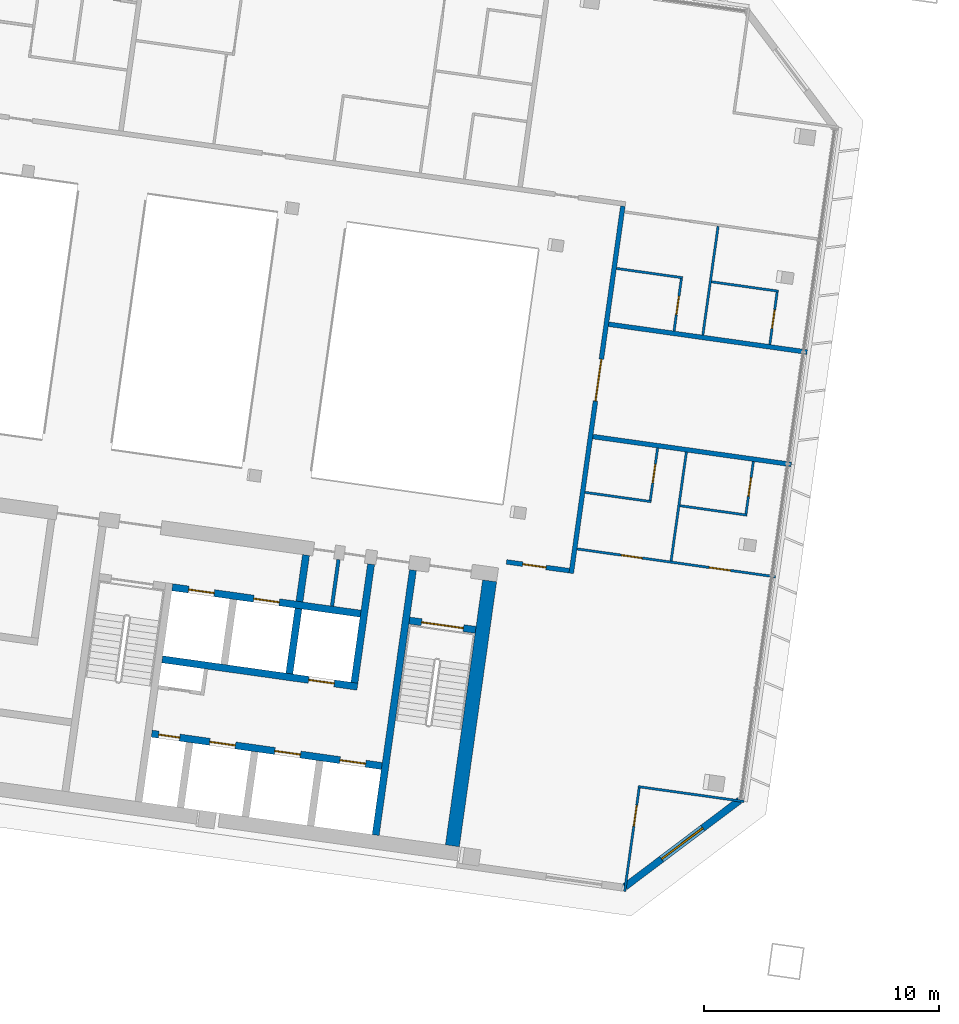
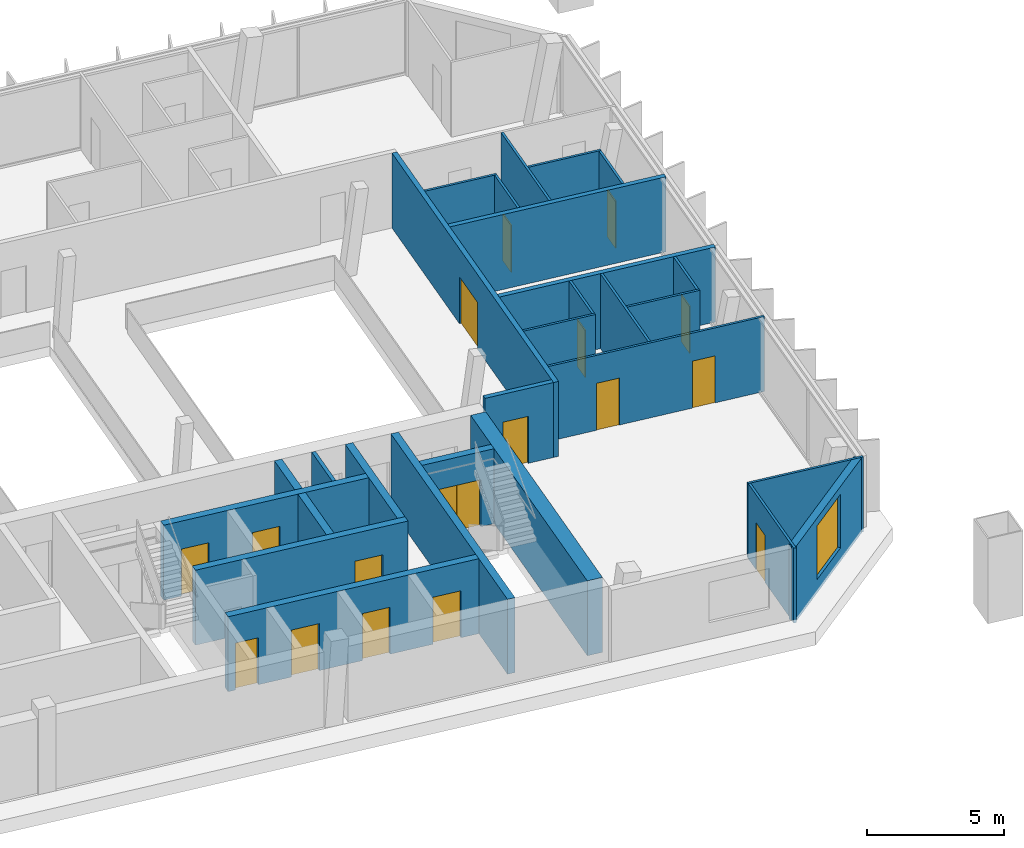
# One storey, part 16 of 26: 28 walls, 17 doors, 1 window, 18 openings.
"""IFC4 building model written with IfcOpenShell, lengths in metres."""

from ifc_helpers import new_model, si_unit, direction, frame, frame_2d, origin, place, context, subcontext, project, spatial, rectangle, extrude, material, layer, layer_set, type_object, element, fill, save


model = new_model("IFC4")

# Units and contexts
model_context = context("Model", 3, precision=1e-05, world=origin(), true_north=direction((0.0, 1.0)))
body_context = subcontext(model_context, "Body", "Model", "MODEL_VIEW")
ifc_project = project(units=[si_unit("LENGTHUNIT", "METRE"), si_unit("AREAUNIT", "SQUARE_METRE"), si_unit("VOLUMEUNIT", "CUBIC_METRE"), si_unit("PLANEANGLEUNIT", "RADIAN"), si_unit("MASSUNIT", "GRAM", prefix="KILO")], contexts=[model_context])

# Site, building, storey
site_placement = place(None, origin())
site = spatial("IfcSite", under=ifc_project, at=site_placement, CompositionType="ELEMENT")
building_placement = place(site_placement, origin())
building = spatial("IfcBuilding", under=site, at=building_placement, Name="Mirante Cascada Hotel Towers", CompositionType="ELEMENT")
storey_placement = place(building_placement, frame((0.0, 0.0, 228.0)))
storey = spatial("IfcBuildingStorey", under=building, at=storey_placement, Name="L54", CompositionType="ELEMENT", Elevation=228.0)

# Wall, opening, door
ifc_material_1 = material(Name="Fire-rated plasterboard on metal studs")
ifc_layer_1 = layer(ifc_material_1, 0.2)
ifc_layer_set_1 = layer_set([ifc_layer_1], Name="Compartment wall 200 EI 120")
wall_type_1 = type_object("IfcWallType", Name="Compartment wall 200 EI 120", PredefinedType="PARTITIONING", material=ifc_layer_set_1)
wall_1_placement = place(storey_placement, frame((-35.2634, -7.1173, 0.0), z_axis=(0.0, 0.0, 1.0), x_axis=(0.9902713, -0.1391498, 0.0)))
wall_1 = element("IfcWall", 1, at=wall_1_placement, inside=storey, type_object=wall_type_1, Name="Wall 1-L54-04", PredefinedType="PARTITIONING", context=body_context, shape_type="SweptSolid", body=[
    extrude(rectangle(XDim=2.7, YDim=0.2, at=frame_2d((1.35, 0.0))), origin(), (0.0, 0.0, 1.0), 3.35),
])
opening_1_placement = place(wall_1_placement, frame((0.7, 0.0, 0.0)))
opening_1 = element("IfcOpeningElement", 2, at=opening_1_placement, cuts=wall_1, Name="Opening D1-L54-01", PredefinedType="OPENING", context=body_context, shape_type="SweptSolid", body=[
    extrude(rectangle(XDim=1.0, YDim=2.1, at=frame_2d((0.5, 1.05))), frame((0.0, 0.1, 0.0), z_axis=(0.0, -1.0, 0.0), x_axis=(1.0, 0.0, 0.0)), (0.0, 0.0, 1.0), 0.2),
])
ifc_material_2 = material(Name="Fire-rated timber door leaf", Category="wood")
door_type_1 = type_object("IfcDoorType", Name="Entrance door DG1 1000x2100 EI 60", OperationType="SINGLE_SWING_LEFT", PredefinedType="DOOR", material=ifc_material_2)
door_1_placement = place(opening_1_placement, frame((1.0, 0.0, 0.0), z_axis=(0.0, 0.0, 1.0), x_axis=(-1.0, 0.0, 0.0)))
door_1 = element("IfcDoor", 3, at=door_1_placement, inside=storey, type_object=door_type_1, Name="Door D1-L54-01", OperationType="SINGLE_SWING_RIGHT", OverallHeight=2.1, OverallWidth=1.0, PredefinedType="DOOR", context=body_context, shape_type="SweptSolid", body=[
    extrude(rectangle(XDim=1.0, YDim=2.1, at=frame_2d((0.5, 1.05))), frame((0.0, 0.025, 0.0), z_axis=(0.0, -1.0, 0.0), x_axis=(1.0, 0.0, 0.0)), (0.0, 0.0, 1.0), 0.05),
])
fill(opening_1, door_1)

# Walls
for number, where, z_axis, x_axis, name in (
    (4, (-23.1292, -2.9656, 0.0), (0.0, 0.0, 1.0), (-0.9902681, 0.139173, 0.0), "Wall 1-L54-09"),
    (5, (-30.9118, 3.0089, 0.0), (0.0, 0.0, 1.0), (0.9902681, -0.139173, 0.0), "Wall 1-L54-10"),
):
    element("IfcWall", number, at=place(storey_placement, frame(where, z_axis=z_axis, x_axis=x_axis)), inside=storey, type_object=wall_type_1, Name=name, PredefinedType="PARTITIONING", context=body_context, shape_type="SweptSolid", body=[
        extrude(rectangle(XDim=8.5383, YDim=0.2, at=frame_2d((4.2692, 0.0))), origin(), (0.0, 0.0, 1.0), 3.35),
    ])

# Wall, opening, door
wall_2_placement = place(storey_placement, frame((-30.3056, 8.0402, 0.0), z_axis=(0.0, 0.0, 1.0), x_axis=(-0.1391774, -0.9902675, 0.0)))
wall_2 = element("IfcWall", 6, at=wall_2_placement, inside=storey, type_object=wall_type_1, Name="Wall 1-L54-36", PredefinedType="PARTITIONING", context=body_context, shape_type="SweptSolid", body=[
    extrude(rectangle(XDim=15.8, YDim=0.2, at=frame_2d((7.9, 0.0))), origin(), (0.0, 0.0, 1.0), 3.35),
])
opening_2_placement = place(wall_2_placement, frame((6.5834, 0.0, 0.0)))
opening_2 = element("IfcOpeningElement", 7, at=opening_2_placement, cuts=wall_2, Name="Opening D1-L54-23", PredefinedType="OPENING", context=body_context, shape_type="SweptSolid", body=[
    extrude(rectangle(XDim=1.8, YDim=2.1, at=frame_2d((0.9, 1.05))), frame((0.0, 0.1, 0.0), z_axis=(0.0, -1.0, 0.0), x_axis=(1.0, 0.0, 0.0)), (0.0, 0.0, 1.0), 0.2),
])
ifc_material_3 = material(Name="Fire-rated timber door leaf", Category="wood")
door_type_2 = type_object("IfcDoorType", Name="Suite double door DG2 1800x2100 EI 60", OperationType="DOUBLE_DOOR_SINGLE_SWING", PredefinedType="DOOR", material=ifc_material_3)
door_2_placement = place(opening_2_placement, origin())
door_2 = element("IfcDoor", 8, at=door_2_placement, inside=storey, type_object=door_type_2, Name="Door D1-L54-23", OperationType="DOUBLE_DOOR_SINGLE_SWING", OverallHeight=2.1, OverallWidth=1.8, PredefinedType="DOOR", context=body_context, shape_type="SweptSolid", body=[
    extrude(rectangle(XDim=0.895, YDim=2.1, at=frame_2d((0.4475, 1.05))), frame((0.0, 0.025, 0.0), z_axis=(0.0, -1.0, 0.0), x_axis=(1.0, 0.0, 0.0)), (0.0, 0.0, 1.0), 0.05),
    extrude(rectangle(XDim=0.895, YDim=2.1, at=frame_2d((1.3525, 1.05))), frame((0.0, 0.025, 0.0), z_axis=(0.0, -1.0, 0.0), x_axis=(1.0, 0.0, 0.0)), (0.0, 0.0, 1.0), 0.05),
])
fill(opening_2, door_2)

# Walls
ifc_material_4 = material(Name="Masonry block", Category="masonry")
ifc_layer_2 = layer(ifc_material_4, 0.15)
ifc_layer_set_2 = layer_set([ifc_layer_2], Name="Core room partition 150 block EI 30")
wall_type_2 = type_object("IfcWallType", Name="Core room partition 150 block EI 30", PredefinedType="PARTITIONING", material=ifc_layer_set_2)
wall_3_placement = place(storey_placement, frame((-42.6979, -9.0009, 0.0), z_axis=(0.0, 0.0, 1.0), x_axis=(0.1391529, 0.9902709, 0.0)))
element("IfcWall", 9, at=wall_3_placement, inside=storey, type_object=wall_type_2, Name="Core wall partition T1 L54 4", PredefinedType="PARTITIONING", context=body_context, shape_type="SweptSolid", body=[
    extrude(rectangle(XDim=2.0, YDim=0.15, at=frame_2d((1.0, 0.0))), origin(), (0.0, 0.0, 1.0), 3.35),
])
ifc_material_5 = material(Name="Masonry block", Category="masonry")
ifc_layer_3 = layer(ifc_material_5, 0.3)
ifc_layer_set_3 = layer_set([ifc_layer_3], Name="Core wall 300 block EI 120")
wall_type_3 = type_object("IfcWallType", Name="Core wall 300 block EI 120", PredefinedType="PARTITIONING", material=ifc_layer_set_3)
wall_4_placement = place(storey_placement, frame((-44.0843, -8.8061, 0.0), z_axis=(0.0, 0.0, 1.0), x_axis=(0.1391951, 0.990265, 0.0)))
element("IfcWall", 10, at=wall_4_placement, inside=storey, type_object=wall_type_3, Name="Core wall partition T1 L54 1", PredefinedType="PARTITIONING", context=body_context, shape_type="SweptSolid", body=[
    extrude(rectangle(XDim=2.0001, YDim=0.3, at=frame_2d((1.0001, 0.0))), origin(), (0.0, 0.0, 1.0), 3.35),
])
ifc_material_6 = material(Name="Plasterboard on metal studs")
ifc_layer_4 = layer(ifc_material_6, 0.1)
ifc_layer_set_4 = layer_set([ifc_layer_4], Name="Partition 100")
wall_type_4 = type_object("IfcWallType", Name="Partition 100", PredefinedType="PARTITIONING", material=ifc_layer_set_4)
wall_5_placement = place(storey_placement, frame((-25.1472, -17.3245, 0.0), z_axis=(0.0, 0.0, 1.0), x_axis=(-0.9902695, 0.1391626, 0.0)))
element("IfcWall", 11, at=wall_5_placement, inside=storey, type_object=wall_type_4, Name="Wall 1-L54-01", PredefinedType="PARTITIONING", context=body_context, shape_type="SweptSolid", body=[
    extrude(rectangle(XDim=4.5501, YDim=0.1, at=frame_2d((2.275, 0.0))), origin(), (0.0, 0.0, 1.0), 3.35),
])

# Wall, openings, doors
wall_6_placement = place(storey_placement, frame((-23.8019, -7.7519, 0.0), z_axis=(0.0, 0.0, 1.0), x_axis=(-0.9902681, 0.139173, 0.0)))
wall_6 = element("IfcWall", 12, at=wall_6_placement, inside=storey, type_object=wall_type_4, Name="Wall 1-L54-05", PredefinedType="PARTITIONING", context=body_context, shape_type="SweptSolid", body=[
    extrude(rectangle(XDim=8.5383, YDim=0.1, at=frame_2d((4.2692, 0.0))), origin(), (0.0, 0.0, 1.0), 3.35),
])
opening_3_placement = place(wall_6_placement, frame((1.95, 0.0, 0.0)))
opening_3 = element("IfcOpeningElement", 13, at=opening_3_placement, cuts=wall_6, Name="Opening D1-L54-02", PredefinedType="OPENING", context=body_context, shape_type="SweptSolid", body=[
    extrude(rectangle(XDim=0.9, YDim=2.1, at=frame_2d((0.45, 1.05))), frame((0.0, 0.05, 0.0), z_axis=(0.0, -1.0, 0.0), x_axis=(1.0, 0.0, 0.0)), (0.0, 0.0, 1.0), 0.1),
])
opening_4_placement = place(wall_6_placement, frame((5.7287, 0.0, 0.0)))
opening_4 = element("IfcOpeningElement", 14, at=opening_4_placement, cuts=wall_6, Name="Opening D1-L54-03", PredefinedType="OPENING", context=body_context, shape_type="SweptSolid", body=[
    extrude(rectangle(XDim=0.9, YDim=2.1, at=frame_2d((0.45, 1.05))), frame((0.0, 0.05, 0.0), z_axis=(0.0, -1.0, 0.0), x_axis=(1.0, 0.0, 0.0)), (0.0, 0.0, 1.0), 0.1),
])
ifc_material_7 = material(Name="Timber door leaf", Category="wood")
door_type_3 = type_object("IfcDoorType", Name="Room door DG3 900x2100", OperationType="SINGLE_SWING_LEFT", PredefinedType="DOOR", material=ifc_material_7)
door_3_placement = place(opening_3_placement, origin())
door_3 = element("IfcDoor", 15, at=door_3_placement, inside=storey, type_object=door_type_3, Name="Door D1-L54-02", OperationType="SINGLE_SWING_LEFT", OverallHeight=2.1, OverallWidth=0.9, PredefinedType="DOOR", context=body_context, shape_type="SweptSolid", body=[
    extrude(rectangle(XDim=0.9, YDim=2.1, at=frame_2d((0.45, 1.05))), frame((0.0, 0.025, 0.0), z_axis=(0.0, -1.0, 0.0), x_axis=(1.0, 0.0, 0.0)), (0.0, 0.0, 1.0), 0.05),
])
fill(opening_3, door_3)
door_4_placement = place(opening_4_placement, origin())
door_4 = element("IfcDoor", 16, at=door_4_placement, inside=storey, type_object=door_type_3, Name="Door D1-L54-03", OperationType="SINGLE_SWING_LEFT", OverallHeight=2.1, OverallWidth=0.9, PredefinedType="DOOR", context=body_context, shape_type="SweptSolid", body=[
    extrude(rectangle(XDim=0.9, YDim=2.1, at=frame_2d((0.45, 1.05))), frame((0.0, 0.025, 0.0), z_axis=(0.0, -1.0, 0.0), x_axis=(1.0, 0.0, 0.0)), (0.0, 0.0, 1.0), 0.05),
])
fill(opening_4, door_4)

# Walls
wall_7_placement = place(storey_placement, frame((-25.0172, -5.1239, 0.0), z_axis=(0.0, 0.0, 1.0), x_axis=(-0.9902643, 0.1392, 0.0)))
element("IfcWall", 17, at=wall_7_placement, inside=storey, type_object=wall_type_4, Name="Wall 1-L54-07", PredefinedType="PARTITIONING", context=body_context, shape_type="SweptSolid", body=[
    extrude(rectangle(XDim=2.8807, YDim=0.1, at=frame_2d((1.4404, 0.0))), origin(), (0.0, 0.0, 1.0), 3.35),
])
wall_8_placement = place(storey_placement, frame((-31.9184, -4.154, 0.0), z_axis=(0.0, 0.0, 1.0), x_axis=(0.9902697, -0.1391613, 0.0)))
element("IfcWall", 18, at=wall_8_placement, inside=storey, type_object=wall_type_4, Name="Wall 1-L54-08", PredefinedType="PARTITIONING", context=body_context, shape_type="SweptSolid", body=[
    extrude(rectangle(XDim=2.8499, YDim=0.1, at=frame_2d((1.425, 0.0))), origin(), (0.0, 0.0, 1.0), 3.35),
])
wall_9_placement = place(storey_placement, frame((-26.5292, 4.8166, 0.0), z_axis=(0.0, 0.0, 1.0), x_axis=(0.9902691, -0.139166, 0.0)))
element("IfcWall", 19, at=wall_9_placement, inside=storey, type_object=wall_type_4, Name="Wall 1-L54-12", PredefinedType="PARTITIONING", context=body_context, shape_type="SweptSolid", body=[
    extrude(rectangle(XDim=2.8807, YDim=0.1, at=frame_2d((1.4404, 0.0))), origin(), (0.0, 0.0, 1.0), 3.35),
])
wall_10_placement = place(storey_placement, frame((-27.7555, 4.9889, 0.0), z_axis=(0.0, 0.0, 1.0), x_axis=(-0.9902649, 0.1391957, 0.0)))
element("IfcWall", 20, at=wall_10_placement, inside=storey, type_object=wall_type_4, Name="Wall 1-L54-13", PredefinedType="PARTITIONING", context=body_context, shape_type="SweptSolid", body=[
    extrude(rectangle(XDim=2.8499, YDim=0.1, at=frame_2d((1.425, 0.0))), origin(), (0.0, 0.0, 1.0), 3.35),
])

# Wall, opening, door
wall_11_placement = place(storey_placement, frame((-24.7466, -2.8393, 0.0), z_axis=(0.0, 0.0, 1.0), x_axis=(-0.1391561, -0.9902705, 0.0)))
wall_11 = element("IfcWall", 21, at=wall_11_placement, inside=storey, type_object=wall_type_4, Name="Wall 1-L54-28", PredefinedType="PARTITIONING", context=body_context, shape_type="SweptSolid", body=[
    extrude(rectangle(XDim=2.25, YDim=0.1, at=frame_2d((1.125, 0.0))), origin(), (0.0, 0.0, 1.0), 3.35),
])
opening_5_placement = place(wall_11_placement, frame((0.7, 0.0, 0.0)))
opening_5 = element("IfcOpeningElement", 22, at=opening_5_placement, cuts=wall_11, Name="Opening D1-L54-17", PredefinedType="OPENING", context=body_context, shape_type="SweptSolid", body=[
    extrude(rectangle(XDim=0.8, YDim=2.1, at=frame_2d((0.4, 1.05))), frame((0.0, 0.05, 0.0), z_axis=(0.0, -1.0, 0.0), x_axis=(1.0, 0.0, 0.0)), (0.0, 0.0, 1.0), 0.1),
])
ifc_material_8 = material(Name="Timber door leaf", Category="wood")
door_type_4 = type_object("IfcDoorType", Name="Bathroom door DG4 800x2100", OperationType="SINGLE_SWING_LEFT", PredefinedType="DOOR", material=ifc_material_8)
door_5_placement = place(opening_5_placement, frame((0.8, 0.0, 0.0), z_axis=(0.0, 0.0, 1.0), x_axis=(-1.0, 0.0, 0.0)))
door_5 = element("IfcDoor", 23, at=door_5_placement, inside=storey, type_object=door_type_4, Name="Door D1-L54-17", OperationType="SINGLE_SWING_RIGHT", OverallHeight=2.1, OverallWidth=0.8, PredefinedType="DOOR", context=body_context, shape_type="SweptSolid", body=[
    extrude(rectangle(XDim=0.8, YDim=2.1, at=frame_2d((0.4, 1.05))), frame((0.0, 0.025, 0.0), z_axis=(0.0, -1.0, 0.0), x_axis=(1.0, 0.0, 0.0)), (0.0, 0.0, 1.0), 0.05),
])
fill(opening_5, door_5)

wall_12_placement = place(storey_placement, frame((-24.0461, 2.145, 0.0), z_axis=(0.0, 0.0, 1.0), x_axis=(0.1391997, 0.9902643, 0.0)))
wall_12 = element("IfcWall", 24, at=wall_12_placement, inside=storey, type_object=wall_type_4, Name="Wall 1-L54-29", PredefinedType="PARTITIONING", context=body_context, shape_type="SweptSolid", body=[
    extrude(rectangle(XDim=2.25, YDim=0.1, at=frame_2d((1.125, 0.0))), origin(), (0.0, 0.0, 1.0), 3.35),
])
opening_6_placement = place(wall_12_placement, frame((0.7, 0.0, 0.0)))
opening_6 = element("IfcOpeningElement", 25, at=opening_6_placement, cuts=wall_12, Name="Opening D1-L54-18", PredefinedType="OPENING", context=body_context, shape_type="SweptSolid", body=[
    extrude(rectangle(XDim=0.8, YDim=2.1, at=frame_2d((0.4, 1.05))), frame((0.0, 0.05, 0.0), z_axis=(0.0, -1.0, 0.0), x_axis=(1.0, 0.0, 0.0)), (0.0, 0.0, 1.0), 0.1),
])
door_6_placement = place(opening_6_placement, origin())
door_6 = element("IfcDoor", 26, at=door_6_placement, inside=storey, type_object=door_type_4, Name="Door D1-L54-18", OperationType="SINGLE_SWING_LEFT", OverallHeight=2.1, OverallWidth=0.8, PredefinedType="DOOR", context=body_context, shape_type="SweptSolid", body=[
    extrude(rectangle(XDim=0.8, YDim=2.1, at=frame_2d((0.4, 1.05))), frame((0.0, 0.025, 0.0), z_axis=(0.0, -1.0, 0.0), x_axis=(1.0, 0.0, 0.0)), (0.0, 0.0, 1.0), 0.05),
])
fill(opening_6, door_6)

wall_13_placement = place(storey_placement, frame((-29.6104, -16.7477, 0.0), z_axis=(0.0, 0.0, 1.0), x_axis=(-0.1391684, -0.9902687, 0.0)))
wall_13 = element("IfcWall", 27, at=wall_13_placement, inside=storey, type_object=wall_type_4, Name="Wall 1-L54-30", PredefinedType="PARTITIONING", context=body_context, shape_type="SweptSolid", body=[
    extrude(rectangle(XDim=4.45, YDim=0.1, at=frame_2d((2.225, 0.0))), origin(), (0.0, 0.0, 1.0), 3.35),
])
opening_7_placement = place(wall_13_placement, frame((0.75, 0.0, 0.0)))
opening_7 = element("IfcOpeningElement", 28, at=opening_7_placement, cuts=wall_13, Name="Opening D1-L54-19", PredefinedType="OPENING", context=body_context, shape_type="SweptSolid", body=[
    extrude(rectangle(XDim=0.9, YDim=2.1, at=frame_2d((0.45, 1.05))), frame((0.0, 0.05, 0.0), z_axis=(0.0, -1.0, 0.0), x_axis=(1.0, 0.0, 0.0)), (0.0, 0.0, 1.0), 0.1),
])
door_7_placement = place(opening_7_placement, frame((0.9, 0.0, 0.0), z_axis=(0.0, 0.0, 1.0), x_axis=(-1.0, 0.0, 0.0)))
door_7 = element("IfcDoor", 29, at=door_7_placement, inside=storey, type_object=door_type_3, Name="Door D1-L54-19", OperationType="SINGLE_SWING_RIGHT", OverallHeight=2.1, OverallWidth=0.9, PredefinedType="DOOR", context=body_context, shape_type="SweptSolid", body=[
    extrude(rectangle(XDim=0.9, YDim=2.1, at=frame_2d((0.45, 1.05))), frame((0.0, 0.025, 0.0), z_axis=(0.0, -1.0, 0.0), x_axis=(1.0, 0.0, 0.0)), (0.0, 0.0, 1.0), 0.05),
])
fill(opening_7, door_7)

# Walls
wall_14_placement = place(storey_placement, frame((-28.2511, -7.0761, 0.0), z_axis=(0.0, 0.0, 1.0), x_axis=(0.139176, 0.9902677, 0.0)))
element("IfcWall", 30, at=wall_14_placement, inside=storey, type_object=wall_type_4, Name="Wall 1-L54-31", PredefinedType="PARTITIONING", context=body_context, shape_type="SweptSolid", body=[
    extrude(rectangle(XDim=4.6833, YDim=0.1, at=frame_2d((2.3416, 0.0))), origin(), (0.0, 0.0, 1.0), 3.35),
])
wall_15_placement = place(storey_placement, frame((-26.247, 7.1838, 0.0), z_axis=(0.0, 0.0, 1.0), x_axis=(-0.1391701, -0.9902685, 0.0)))
element("IfcWall", 31, at=wall_15_placement, inside=storey, type_object=wall_type_4, Name="Wall 1-L54-32", PredefinedType="PARTITIONING", context=body_context, shape_type="SweptSolid", body=[
    extrude(rectangle(XDim=4.6835, YDim=0.1, at=frame_2d((2.3418, 0.0))), origin(), (0.0, 0.0, 1.0), 3.35),
])

# Wall, opening, door
wall_16_placement = place(storey_placement, frame((-28.8256, -2.266, 0.0), z_axis=(0.0, 0.0, 1.0), x_axis=(-0.1391561, -0.9902705, 0.0)))
wall_16 = element("IfcWall", 32, at=wall_16_placement, inside=storey, type_object=wall_type_4, Name="Wall 1-L54-34", PredefinedType="PARTITIONING", context=body_context, shape_type="SweptSolid", body=[
    extrude(rectangle(XDim=2.25, YDim=0.1, at=frame_2d((1.125, 0.0))), origin(), (0.0, 0.0, 1.0), 3.35),
])
opening_8_placement = place(wall_16_placement, frame((0.7, 0.0, 0.0)))
opening_8 = element("IfcOpeningElement", 33, at=opening_8_placement, cuts=wall_16, Name="Opening D1-L54-21", PredefinedType="OPENING", context=body_context, shape_type="SweptSolid", body=[
    extrude(rectangle(XDim=0.8, YDim=2.1, at=frame_2d((0.4, 1.05))), frame((0.0, 0.05, 0.0), z_axis=(0.0, -1.0, 0.0), x_axis=(1.0, 0.0, 0.0)), (0.0, 0.0, 1.0), 0.1),
])
door_8_placement = place(opening_8_placement, frame((0.8, 0.0, 0.0), z_axis=(0.0, 0.0, 1.0), x_axis=(-1.0, 0.0, 0.0)))
door_8 = element("IfcDoor", 34, at=door_8_placement, inside=storey, type_object=door_type_4, Name="Door D1-L54-21", OperationType="SINGLE_SWING_RIGHT", OverallHeight=2.1, OverallWidth=0.8, PredefinedType="DOOR", context=body_context, shape_type="SweptSolid", body=[
    extrude(rectangle(XDim=0.8, YDim=2.1, at=frame_2d((0.4, 1.05))), frame((0.0, 0.025, 0.0), z_axis=(0.0, -1.0, 0.0), x_axis=(1.0, 0.0, 0.0)), (0.0, 0.0, 1.0), 0.05),
])
fill(opening_8, door_8)

wall_17_placement = place(storey_placement, frame((-28.1251, 2.7183, 0.0), z_axis=(0.0, 0.0, 1.0), x_axis=(0.1391561, 0.9902705, 0.0)))
wall_17 = element("IfcWall", 35, at=wall_17_placement, inside=storey, type_object=wall_type_4, Name="Wall 1-L54-35", PredefinedType="PARTITIONING", context=body_context, shape_type="SweptSolid", body=[
    extrude(rectangle(XDim=2.25, YDim=0.1, at=frame_2d((1.125, 0.0))), origin(), (0.0, 0.0, 1.0), 3.35),
])
opening_9_placement = place(wall_17_placement, frame((0.7, 0.0, 0.0)))
opening_9 = element("IfcOpeningElement", 36, at=opening_9_placement, cuts=wall_17, Name="Opening D1-L54-22", PredefinedType="OPENING", context=body_context, shape_type="SweptSolid", body=[
    extrude(rectangle(XDim=0.8, YDim=2.1, at=frame_2d((0.4, 1.05))), frame((0.0, 0.05, 0.0), z_axis=(0.0, -1.0, 0.0), x_axis=(1.0, 0.0, 0.0)), (0.0, 0.0, 1.0), 0.1),
])
door_9_placement = place(opening_9_placement, origin())
door_9 = element("IfcDoor", 37, at=door_9_placement, inside=storey, type_object=door_type_4, Name="Door D1-L54-22", OperationType="SINGLE_SWING_LEFT", OverallHeight=2.1, OverallWidth=0.8, PredefinedType="DOOR", context=body_context, shape_type="SweptSolid", body=[
    extrude(rectangle(XDim=0.8, YDim=2.1, at=frame_2d((0.4, 1.05))), frame((0.0, 0.025, 0.0), z_axis=(0.0, -1.0, 0.0), x_axis=(1.0, 0.0, 0.0)), (0.0, 0.0, 1.0), 0.05),
])
fill(opening_9, door_9)

# Wall, opening, window
ifc_material_9 = material(Name="Precast concrete C40/50", Category="concrete")
ifc_layer_5 = layer(ifc_material_9, 0.3)
ifc_layer_set_5 = layer_set([ifc_layer_5], Name="Precast concrete C40/50 cladding wall 300")
wall_type_5 = type_object("IfcWallType", Name="Precast concrete C40/50 cladding wall 300", PredefinedType="STANDARD", material=ifc_layer_set_5)
wall_18_placement = place(storey_placement, frame((-25.3367, -17.2794, 0.0), z_axis=(0.0, 0.0, 1.0), x_axis=(-0.7986362, -0.6018141, 0.0)))
wall_18 = element("IfcWall", 38, at=wall_18_placement, inside=storey, type_object=wall_type_5, Name="Corner cladding wall T1 L54 inner rear", PredefinedType="STANDARD", context=body_context, shape_type="SweptSolid", body=[
    extrude(rectangle(XDim=6.1157, YDim=0.3, at=frame_2d((3.0578, 0.0))), origin(), (0.0, 0.0, 1.0), 3.35),
])
opening_10_placement = place(wall_18_placement, frame((1.9578, 0.0, 0.6)))
opening_10 = element("IfcOpeningElement", 39, at=opening_10_placement, cuts=wall_18, Name="Opening W1-54-05", PredefinedType="OPENING", context=body_context, shape_type="SweptSolid", body=[
    extrude(rectangle(XDim=2.2, YDim=2.4, at=frame_2d((1.1, 1.2))), frame((0.0, 0.15, 0.0), z_axis=(0.0, -1.0, 0.0), x_axis=(1.0, 0.0, 0.0)), (0.0, 0.0, 1.0), 0.3),
])
ifc_material_10 = material(Name="Aluminium frame with clear double glazing", Category="aluminium")
window_type = type_object("IfcWindowType", Name="Corner suite window 2200x2400", PartitioningType="DOUBLE_PANEL_VERTICAL", PredefinedType="WINDOW", material=ifc_material_10)
window_placement = place(opening_10_placement, origin())
window = element("IfcWindow", 40, at=window_placement, inside=storey, type_object=window_type, Name="Window W1-54-05", OverallHeight=2.4, OverallWidth=2.2, PartitioningType="SINGLE_PANEL", PredefinedType="WINDOW", context=body_context, shape_type="SweptSolid", body=[
    extrude(rectangle(XDim=2.2, YDim=2.4, at=frame_2d((1.1, 1.2))), frame((0.0, 0.03, 0.0), z_axis=(0.0, -1.0, 0.0), x_axis=(1.0, 0.0, 0.0)), (0.0, 0.0, 1.0), 0.06),
])
fill(opening_10, window)

# Wall
ifc_material_11 = material(Name="Concrete C50/60", Category="concrete")
ifc_layer_6 = layer(ifc_material_11, 0.3)
ifc_layer_set_6 = layer_set([ifc_layer_6], Name="RC core wall 300 C50/60")
wall_type_6 = type_object("IfcWallType", Name="RC core wall 300 C50/60", PredefinedType="SHEAR", material=ifc_layer_set_6)
wall_19_placement = place(storey_placement, frame((-40.8373, -18.7548, 0.0), z_axis=(0.0, 0.0, 1.0), x_axis=(0.1391749, 0.9902678, 0.0)))
element("IfcWall", 41, at=wall_19_placement, inside=storey, type_object=wall_type_6, Name="Core wall T1:L54:5", PredefinedType="SHEAR", context=body_context, shape_type="SweptSolid", body=[
    extrude(rectangle(XDim=11.4, YDim=0.3, at=frame_2d((5.7, 0.0))), origin(), (0.0, 0.0, 1.0), 3.35),
])

# Wall, opening, door
wall_20_placement = place(storey_placement, frame((-36.5791, -10.0123, 0.0), z_axis=(0.0, 0.0, 1.0), x_axis=(-0.9902704, 0.1391564, 0.0)))
wall_20 = element("IfcWall", 42, at=wall_20_placement, inside=storey, type_object=wall_type_6, Name="Core wall T1:L54:8", PredefinedType="SHEAR", context=body_context, shape_type="SweptSolid", body=[
    extrude(rectangle(XDim=2.85, YDim=0.3, at=frame_2d((1.425, 0.0))), origin(), (0.0, 0.0, 1.0), 3.35),
])
opening_11_placement = place(wall_20_placement, frame((0.525, 0.0, 0.0)))
opening_11 = element("IfcOpeningElement", 43, at=opening_11_placement, cuts=wall_20, Name="Opening D1-54-C07", PredefinedType="OPENING", context=body_context, shape_type="SweptSolid", body=[
    extrude(rectangle(XDim=1.8, YDim=2.1, at=frame_2d((0.9, 1.05))), frame((0.0, 0.15, 0.0), z_axis=(0.0, -1.0, 0.0), x_axis=(1.0, 0.0, 0.0)), (0.0, 0.0, 1.0), 0.3),
])
ifc_material_12 = material(Name="Hollow metal fire door leaf")
door_type_5 = type_object("IfcDoorType", Name="Double fire door 1800x2100 FD60", OperationType="DOUBLE_DOOR_SINGLE_SWING", PredefinedType="DOOR", material=ifc_material_12)
door_10_placement = place(opening_11_placement, origin())
door_10 = element("IfcDoor", 44, at=door_10_placement, inside=storey, type_object=door_type_5, Name="Stair door T1 L54 7", OperationType="DOUBLE_DOOR_SINGLE_SWING", OverallHeight=2.1, OverallWidth=1.8, PredefinedType="DOOR", context=body_context, shape_type="SweptSolid", body=[
    extrude(rectangle(XDim=0.895, YDim=2.1, at=frame_2d((0.4475, 1.05))), frame((0.0, 0.025, 0.0), z_axis=(0.0, -1.0, 0.0), x_axis=(1.0, 0.0, 0.0)), (0.0, 0.0, 1.0), 0.05),
    extrude(rectangle(XDim=0.895, YDim=2.1, at=frame_2d((1.3525, 1.05))), frame((0.0, 0.025, 0.0), z_axis=(0.0, -1.0, 0.0), x_axis=(1.0, 0.0, 0.0)), (0.0, 0.0, 1.0), 0.05),
])
fill(opening_11, door_10)

# Wall, openings, doors
wall_21_placement = place(storey_placement, frame((-40.5753, -15.8126, 0.0), z_axis=(0.0, 0.0, 1.0), x_axis=(-0.9902682, 0.1391725, 0.0)))
wall_21 = element("IfcWall", 45, at=wall_21_placement, inside=storey, type_object=wall_type_6, Name="Core wall T1:L54:10", PredefinedType="SHEAR", context=body_context, shape_type="SweptSolid", body=[
    extrude(rectangle(XDim=9.8999, YDim=0.3, at=frame_2d((4.95, 0.0))), origin(), (0.0, 0.0, 1.0), 3.35),
])
opening_12_placement = place(wall_21_placement, frame((0.7, 0.0, 0.0)))
opening_12 = element("IfcOpeningElement", 46, at=opening_12_placement, cuts=wall_21, Name="Opening LD", PredefinedType="OPENING", context=body_context, shape_type="SweptSolid", body=[
    extrude(rectangle(XDim=1.1, YDim=2.1, at=frame_2d((0.55, 1.05))), frame((0.0, 0.15, 0.0), z_axis=(0.0, -1.0, 0.0), x_axis=(1.0, 0.0, 0.0)), (0.0, 0.0, 1.0), 0.3),
])
opening_13_placement = place(wall_21_placement, frame((3.5, 0.0, 0.0)))
opening_13 = element("IfcOpeningElement", 47, at=opening_13_placement, cuts=wall_21, Name="Opening LD", PredefinedType="OPENING", context=body_context, shape_type="SweptSolid", body=[
    extrude(rectangle(XDim=1.1, YDim=2.1, at=frame_2d((0.55, 1.05))), frame((0.0, 0.15, 0.0), z_axis=(0.0, -1.0, 0.0), x_axis=(1.0, 0.0, 0.0)), (0.0, 0.0, 1.0), 0.3),
])
opening_14_placement = place(wall_21_placement, frame((6.3, 0.0, 0.0)))
opening_14 = element("IfcOpeningElement", 48, at=opening_14_placement, cuts=wall_21, Name="Opening LD", PredefinedType="OPENING", context=body_context, shape_type="SweptSolid", body=[
    extrude(rectangle(XDim=1.1, YDim=2.1, at=frame_2d((0.55, 1.05))), frame((0.0, 0.15, 0.0), z_axis=(0.0, -1.0, 0.0), x_axis=(1.0, 0.0, 0.0)), (0.0, 0.0, 1.0), 0.3),
])
opening_15_placement = place(wall_21_placement, frame((8.7, 0.0, 0.0)))
opening_15 = element("IfcOpeningElement", 49, at=opening_15_placement, cuts=wall_21, Name="Opening D1-54-C14", PredefinedType="OPENING", context=body_context, shape_type="SweptSolid", body=[
    extrude(rectangle(XDim=0.9, YDim=2.1, at=frame_2d((0.45, 1.05))), frame((0.0, 0.15, 0.0), z_axis=(0.0, -1.0, 0.0), x_axis=(1.0, 0.0, 0.0)), (0.0, 0.0, 1.0), 0.3),
])
ifc_material_13 = material(Name="Hollow metal fire door leaf")
door_type_6 = type_object("IfcDoorType", Name="Fire door 900x2100 FD60", OperationType="NOTDEFINED", PredefinedType="DOOR", material=ifc_material_13)
door_11_placement = place(opening_15_placement, origin())
door_11 = element("IfcDoor", 50, at=door_11_placement, inside=storey, type_object=door_type_6, Name="Riser door T1 L54 14", OperationType="SINGLE_SWING_LEFT", OverallHeight=2.1, OverallWidth=0.9, PredefinedType="DOOR", context=body_context, shape_type="SweptSolid", body=[
    extrude(rectangle(XDim=0.9, YDim=2.1, at=frame_2d((0.45, 1.05))), frame((0.0, 0.025, 0.0), z_axis=(0.0, -1.0, 0.0), x_axis=(1.0, 0.0, 0.0)), (0.0, 0.0, 1.0), 0.05),
])
fill(opening_15, door_11)
ifc_material_14 = material(Name="Stainless steel", Category="steel")
door_type_7 = type_object("IfcDoorType", Name="Lift landing door 1100x2100 EI 120", OperationType="DOUBLE_DOOR_SLIDING", PredefinedType="DOOR", material=ifc_material_14)
door_12_placement = place(opening_12_placement, origin())
door_12 = element("IfcDoor", 51, at=door_12_placement, inside=storey, type_object=door_type_7, Name="Lift landing door HR1-1 L54", OperationType="DOUBLE_DOOR_SLIDING", OverallHeight=2.1, OverallWidth=1.1, PredefinedType="DOOR", context=body_context, shape_type="SweptSolid", body=[
    extrude(rectangle(XDim=0.545, YDim=2.1, at=frame_2d((0.2725, 1.05))), frame((0.0, 0.025, 0.0), z_axis=(0.0, -1.0, 0.0), x_axis=(1.0, 0.0, 0.0)), (0.0, 0.0, 1.0), 0.05),
    extrude(rectangle(XDim=0.545, YDim=2.1, at=frame_2d((0.8275, 1.05))), frame((0.0, 0.025, 0.0), z_axis=(0.0, -1.0, 0.0), x_axis=(1.0, 0.0, 0.0)), (0.0, 0.0, 1.0), 0.05),
])
fill(opening_12, door_12)
door_13_placement = place(opening_13_placement, origin())
door_13 = element("IfcDoor", 52, at=door_13_placement, inside=storey, type_object=door_type_7, Name="Lift landing door HR1-2 L54", OperationType="DOUBLE_DOOR_SLIDING", OverallHeight=2.1, OverallWidth=1.1, PredefinedType="DOOR", context=body_context, shape_type="SweptSolid", body=[
    extrude(rectangle(XDim=0.545, YDim=2.1, at=frame_2d((0.2725, 1.05))), frame((0.0, 0.025, 0.0), z_axis=(0.0, -1.0, 0.0), x_axis=(1.0, 0.0, 0.0)), (0.0, 0.0, 1.0), 0.05),
    extrude(rectangle(XDim=0.545, YDim=2.1, at=frame_2d((0.8275, 1.05))), frame((0.0, 0.025, 0.0), z_axis=(0.0, -1.0, 0.0), x_axis=(1.0, 0.0, 0.0)), (0.0, 0.0, 1.0), 0.05),
])
fill(opening_13, door_13)
door_14_placement = place(opening_14_placement, origin())
door_14 = element("IfcDoor", 53, at=door_14_placement, inside=storey, type_object=door_type_7, Name="Lift landing door HR1-3 L54", OperationType="DOUBLE_DOOR_SLIDING", OverallHeight=2.1, OverallWidth=1.1, PredefinedType="DOOR", context=body_context, shape_type="SweptSolid", body=[
    extrude(rectangle(XDim=0.545, YDim=2.1, at=frame_2d((0.2725, 1.05))), frame((0.0, 0.025, 0.0), z_axis=(0.0, -1.0, 0.0), x_axis=(1.0, 0.0, 0.0)), (0.0, 0.0, 1.0), 0.05),
    extrude(rectangle(XDim=0.545, YDim=2.1, at=frame_2d((0.8275, 1.05))), frame((0.0, 0.025, 0.0), z_axis=(0.0, -1.0, 0.0), x_axis=(1.0, 0.0, 0.0)), (0.0, 0.0, 1.0), 0.05),
])
fill(opening_14, door_14)

# Wall, opening, door
wall_22_placement = place(storey_placement, frame((-41.6153, -12.435, 0.0), z_axis=(0.0, 0.0, 1.0), x_axis=(-0.9902691, 0.139166, 0.0)))
wall_22 = element("IfcWall", 54, at=wall_22_placement, inside=storey, type_object=wall_type_6, Name="Core wall T1:L54:11", PredefinedType="SHEAR", context=body_context, shape_type="SweptSolid", body=[
    extrude(rectangle(XDim=8.4, YDim=0.3, at=frame_2d((4.2, 0.0))), origin(), (0.0, 0.0, 1.0), 3.35),
])
opening_16_placement = place(wall_22_placement, frame((1.0, 0.0, 0.0)))
opening_16 = element("IfcOpeningElement", 55, at=opening_16_placement, cuts=wall_22, Name="Opening LD", PredefinedType="OPENING", context=body_context, shape_type="SweptSolid", body=[
    extrude(rectangle(XDim=1.1, YDim=2.1, at=frame_2d((0.55, 1.05))), frame((0.0, 0.15, 0.0), z_axis=(0.0, -1.0, 0.0), x_axis=(1.0, 0.0, 0.0)), (0.0, 0.0, 1.0), 0.3),
])
door_15_placement = place(opening_16_placement, origin())
door_15 = element("IfcDoor", 56, at=door_15_placement, inside=storey, type_object=door_type_7, Name="Lift landing door HR1-4 L54", OperationType="DOUBLE_DOOR_SLIDING", OverallHeight=2.1, OverallWidth=1.1, PredefinedType="DOOR", context=body_context, shape_type="SweptSolid", body=[
    extrude(rectangle(XDim=0.545, YDim=2.1, at=frame_2d((0.2725, 1.05))), frame((0.0, 0.025, 0.0), z_axis=(0.0, -1.0, 0.0), x_axis=(1.0, 0.0, 0.0)), (0.0, 0.0, 1.0), 0.05),
    extrude(rectangle(XDim=0.545, YDim=2.1, at=frame_2d((0.8275, 1.05))), frame((0.0, 0.025, 0.0), z_axis=(0.0, -1.0, 0.0), x_axis=(1.0, 0.0, 0.0)), (0.0, 0.0, 1.0), 0.05),
])
fill(opening_16, door_15)

# Wall, openings, doors
wall_23_placement = place(storey_placement, frame((-41.481, -9.3234, 0.0), z_axis=(0.0, 0.0, 1.0), x_axis=(-0.9902679, 0.1391741, 0.0)))
wall_23 = element("IfcWall", 57, at=wall_23_placement, inside=storey, type_object=wall_type_6, Name="Core wall T1:L54:12", PredefinedType="SHEAR", context=body_context, shape_type="SweptSolid", body=[
    extrude(rectangle(XDim=8.0999, YDim=0.3, at=frame_2d((4.05, 0.0))), origin(), (0.0, 0.0, 1.0), 3.35),
])
opening_17_placement = place(wall_23_placement, frame((3.5, 0.0, 0.0)))
opening_17 = element("IfcOpeningElement", 58, at=opening_17_placement, cuts=wall_23, Name="Opening LD", PredefinedType="OPENING", context=body_context, shape_type="SweptSolid", body=[
    extrude(rectangle(XDim=1.1, YDim=2.1, at=frame_2d((0.55, 1.05))), frame((0.0, 0.15, 0.0), z_axis=(0.0, -1.0, 0.0), x_axis=(1.0, 0.0, 0.0)), (0.0, 0.0, 1.0), 0.3),
])
opening_18_placement = place(wall_23_placement, frame((6.3, 0.0, 0.0)))
opening_18 = element("IfcOpeningElement", 59, at=opening_18_placement, cuts=wall_23, Name="Opening LD", PredefinedType="OPENING", context=body_context, shape_type="SweptSolid", body=[
    extrude(rectangle(XDim=1.1, YDim=2.1, at=frame_2d((0.55, 1.05))), frame((0.0, 0.15, 0.0), z_axis=(0.0, -1.0, 0.0), x_axis=(1.0, 0.0, 0.0)), (0.0, 0.0, 1.0), 0.3),
])
door_16_placement = place(opening_17_placement, origin())
door_16 = element("IfcDoor", 60, at=door_16_placement, inside=storey, type_object=door_type_7, Name="Lift landing door FF1 L54", OperationType="DOUBLE_DOOR_SLIDING", OverallHeight=2.1, OverallWidth=1.1, PredefinedType="DOOR", context=body_context, shape_type="SweptSolid", body=[
    extrude(rectangle(XDim=0.545, YDim=2.1, at=frame_2d((0.2725, 1.05))), frame((0.0, 0.025, 0.0), z_axis=(0.0, -1.0, 0.0), x_axis=(1.0, 0.0, 0.0)), (0.0, 0.0, 1.0), 0.05),
    extrude(rectangle(XDim=0.545, YDim=2.1, at=frame_2d((0.8275, 1.05))), frame((0.0, 0.025, 0.0), z_axis=(0.0, -1.0, 0.0), x_axis=(1.0, 0.0, 0.0)), (0.0, 0.0, 1.0), 0.05),
])
fill(opening_17, door_16)
door_17_placement = place(opening_18_placement, origin())
door_17 = element("IfcDoor", 61, at=door_17_placement, inside=storey, type_object=door_type_7, Name="Lift landing door FF2 L54", OperationType="DOUBLE_DOOR_SLIDING", OverallHeight=2.1, OverallWidth=1.1, PredefinedType="DOOR", context=body_context, shape_type="SweptSolid", body=[
    extrude(rectangle(XDim=0.545, YDim=2.1, at=frame_2d((0.2725, 1.05))), frame((0.0, 0.025, 0.0), z_axis=(0.0, -1.0, 0.0), x_axis=(1.0, 0.0, 0.0)), (0.0, 0.0, 1.0), 0.05),
    extrude(rectangle(XDim=0.545, YDim=2.1, at=frame_2d((0.8275, 1.05))), frame((0.0, 0.025, 0.0), z_axis=(0.0, -1.0, 0.0), x_axis=(1.0, 0.0, 0.0)), (0.0, 0.0, 1.0), 0.05),
])
fill(opening_18, door_17)

# Walls
wall_24_placement = place(storey_placement, frame((-44.5157, -11.8759, 0.0), z_axis=(0.0, 0.0, 1.0), x_axis=(0.139181, 0.990267, 0.0)))
element("IfcWall", 62, at=wall_24_placement, inside=storey, type_object=wall_type_6, Name="Core wall T1:L54:16", PredefinedType="SHEAR", context=body_context, shape_type="SweptSolid", body=[
    extrude(rectangle(XDim=2.8, YDim=0.3, at=frame_2d((1.4, 0.0))), origin(), (0.0, 0.0, 1.0), 3.35),
])
wall_25_placement = place(storey_placement, frame((-41.743, -12.2656, 0.0), z_axis=(0.0, 0.0, 1.0), x_axis=(0.1391755, 0.9902677, 0.0)))
element("IfcWall", 63, at=wall_25_placement, inside=storey, type_object=wall_type_6, Name="Core wall T1:L54:18", PredefinedType="SHEAR", context=body_context, shape_type="SweptSolid", body=[
    extrude(rectangle(XDim=5.1, YDim=0.3, at=frame_2d((2.55, 0.0))), origin(), (0.0, 0.0, 1.0), 3.35),
])
ifc_material_15 = material(Name="Concrete C50/60", Category="concrete")
ifc_layer_7 = layer(ifc_material_15, 0.6)
ifc_layer_set_7 = layer_set([ifc_layer_7], Name="RC core wall 600 C50/60")
wall_type_7 = type_object("IfcWallType", Name="RC core wall 600 C50/60", PredefinedType="SHEAR", material=ifc_layer_set_7)
wall_26_placement = place(storey_placement, frame((-37.5694, -19.2141, 0.0), z_axis=(0.0, 0.0, 1.0), x_axis=(0.1391749, 0.9902678, 0.0)))
element("IfcWall", 64, at=wall_26_placement, inside=storey, type_object=wall_type_7, Name="Core wall T1:L54:3", PredefinedType="SHEAR", context=body_context, shape_type="SweptSolid", body=[
    extrude(rectangle(XDim=11.4, YDim=0.6, at=frame_2d((5.7, 0.0))), origin(), (0.0, 0.0, 1.0), 3.35),
])

save(model, "model.ifc")
